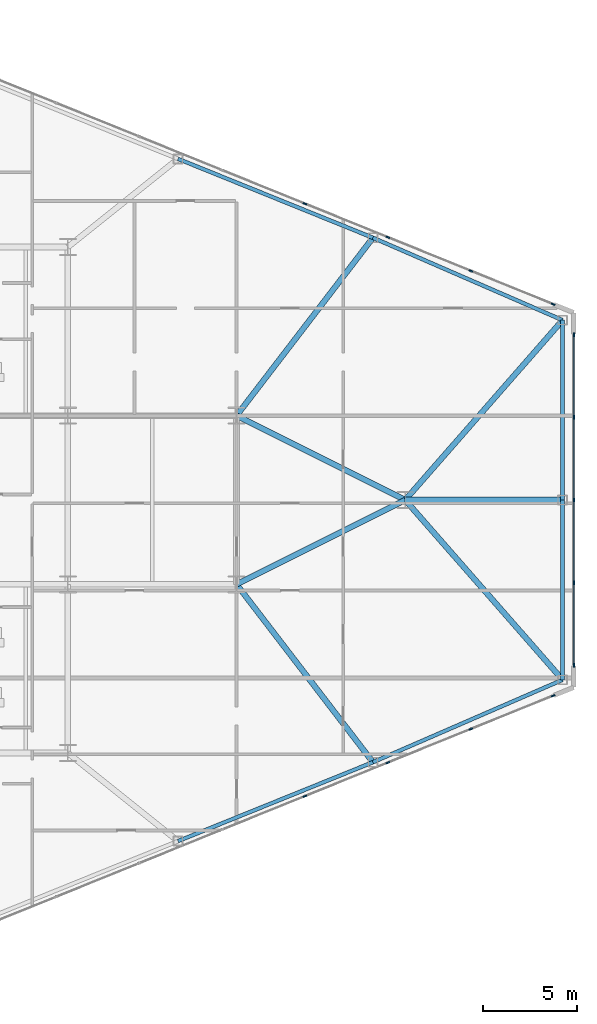
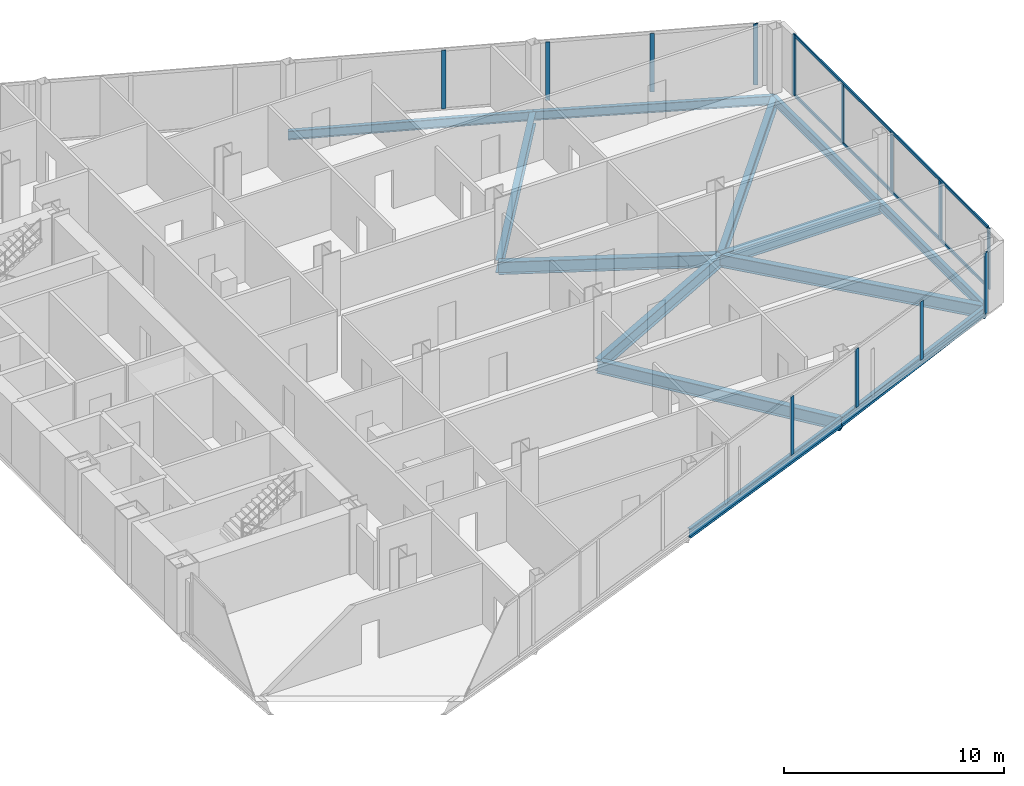
# One storey, part 14 of 25: 15 members, 13 beams, 3 elements without a shape of their own.
"""IFC4 building model written with IfcOpenShell, lengths in metres."""

import ifcopenshell
import ifcopenshell.guid

model = None  # the IFC model being written
_history = None  # IfcOwnerHistory: only IFC2X3 demands one
_inside = {}  # id of a spatial element -> (the spatial element, [elements in it])
_under = {}  # id of a project, library or spatial element -> (it, [spatial elements below it])
_declared = {}  # id of a project -> (the project, [libraries it declares])
_typed = {}  # id of a type object -> (the type object, [elements of that type])
_made_of = {}  # id of a material, layer set ... -> (it, [elements and type objects made of it])


def new_model(schema):
    """Start an empty IFC model of exactly this schema.

    Asked for "IFC4X3", IfcOpenShell would pick the latest addendum, in which some entities
    have other attributes; the version numbers below select the first issue.
    IFC2X3 requires an IfcOwnerHistory on every rooted entity: one is made here for all.
    """
    global model, _history
    if schema == "IFC4X3":
        model = ifcopenshell.file(schema_version=(4, 3, 0, 0))
    else:
        model = ifcopenshell.file(schema=schema)
    _inside.clear()
    _under.clear()
    _declared.clear()
    _typed.clear()
    _made_of.clear()
    _history = None
    if model.schema == "IFC2X3":
        org = make("IfcOrganization", Name="unknown")
        user = make(
            "IfcPersonAndOrganization",
            ThePerson=make("IfcPerson", FamilyName="unknown"),
            TheOrganization=org,
        )
        app = make(
            "IfcApplication",
            ApplicationDeveloper=org,
            Version="unknown",
            ApplicationFullName="unknown",
            ApplicationIdentifier="unknown",
        )
        _history = make(
            "IfcOwnerHistory",
            OwningUser=user,
            OwningApplication=app,
            ChangeAction="ADDED",
            CreationDate=0,
        )
    return model


def make(cls, **values):
    """One entity of the class cls with the attributes given. An attribute that is None is left unset."""
    return model.create_entity(
        cls, **{name: value for name, value in values.items() if value is not None}
    )


def rooted(cls, **values):
    """An entity with a GlobalId (a new one), such as an element, a storey or a relation."""
    return make(cls, GlobalId=ifcopenshell.guid.new(), OwnerHistory=_history, **values)


def si_unit(unit_type, name, prefix=None):
    """IfcSIUnit, for example si_unit("LENGTHUNIT", "METRE", prefix="MILLI")."""
    return make("IfcSIUnit", UnitType=unit_type, Prefix=prefix, Name=name)


def assignment(units):
    """IfcUnitAssignment: the units of a project."""
    return None if units is None else make("IfcUnitAssignment", Units=units)


def point(xyz):
    """IfcCartesianPoint."""
    return None if xyz is None else make("IfcCartesianPoint", Coordinates=xyz)


def direction(xyz):
    """IfcDirection."""
    return None if xyz is None else make("IfcDirection", DirectionRatios=xyz)


def frame(location, z_axis=None, x_axis=None):
    """IfcAxis2Placement3D, a coordinate frame: its origin and axes. An axis left out is left unset."""
    return make(
        "IfcAxis2Placement3D",
        Location=point(location),
        Axis=direction(z_axis),
        RefDirection=direction(x_axis),
    )


def frame_2d(location, x_axis=None):
    """IfcAxis2Placement2D, a coordinate frame in the plane: its origin and x axis."""
    return make(
        "IfcAxis2Placement2D", Location=point(location), RefDirection=direction(x_axis)
    )


def origin():
    """The frame at (0, 0, 0) with its axes left unset."""
    return frame((0.0, 0.0, 0.0))


def origin_2d():
    """The frame at (0, 0) in the plane with its x axis left unset."""
    return frame_2d((0.0, 0.0))


def place(relative_to, where):
    """IfcLocalPlacement: puts the frame where relative to a parent placement (None: the world)."""
    return make(
        "IfcLocalPlacement", PlacementRelTo=relative_to, RelativePlacement=where
    )


def context(
    kind, dimensions, precision=None, world=None, true_north=None, identifier=None
):
    """IfcGeometricRepresentationContext, for example the 3D "Model" context."""
    return make(
        "IfcGeometricRepresentationContext",
        ContextIdentifier=identifier,
        ContextType=kind,
        CoordinateSpaceDimension=dimensions,
        Precision=precision,
        WorldCoordinateSystem=world,
        TrueNorth=true_north,
    )


def subcontext(parent, identifier, kind, view, scale=None):
    """IfcGeometricRepresentationSubContext, for example "Body" below "Model"."""
    return make(
        "IfcGeometricRepresentationSubContext",
        ContextIdentifier=identifier,
        ContextType=kind,
        ParentContext=parent,
        TargetScale=scale,
        TargetView=view,
    )


def project(units=None, contexts=None):
    """IfcProject with its units and contexts."""
    return rooted(
        "IfcProject",
        Name="project",
        RepresentationContexts=contexts,
        UnitsInContext=assignment(units),
    )


def spatial(cls, under=None, at=None, **own):
    """A site, building, storey or space (cls), placed at a placement, below another one or the project."""
    s = rooted(cls, ObjectPlacement=at, **own)
    if under is not None:
        _under.setdefault(under.id(), (under, []))[1].append(s)
    return s


def profile(cls, at=None, kind="AREA", **sizes):
    """A parametric profile (cls). Its sizes go by their IFC names, for example OverallWidth=200.0."""
    return make(cls, ProfileType=kind, Position=at, **sizes)


def rectangle(**sizes):
    """IfcRectangleProfileDef."""
    return profile("IfcRectangleProfileDef", **sizes)


def i_section(**sizes):
    """IfcIShapeProfileDef."""
    return profile("IfcIShapeProfileDef", **sizes)


def extrude(swept, where, along, depth):
    """IfcExtrudedAreaSolid: the profile swept, set in the frame where, extruded along a direction by depth."""
    return make(
        "IfcExtrudedAreaSolid",
        SweptArea=swept,
        Position=where,
        ExtrudedDirection=direction(along),
        Depth=depth,
    )


def shape(context_of_items, identifier, shape_type, items):
    """IfcShapeRepresentation: the items that make up one representation, for example the "Body"."""
    return make(
        "IfcShapeRepresentation",
        ContextOfItems=context_of_items,
        RepresentationIdentifier=identifier,
        RepresentationType=shape_type,
        Items=items,
    )


def source(mapping_origin, context_of_items, identifier, shape_type, items):
    """IfcRepresentationMap: a shape defined once, which mapped items show again and again."""
    return make(
        "IfcRepresentationMap",
        MappingOrigin=mapping_origin,
        MappedRepresentation=shape(context_of_items, identifier, shape_type, items),
    )


def transform(
    local_origin,
    x_axis=None,
    y_axis=None,
    z_axis=None,
    scale=None,
    scale2=None,
    scale3=None,
    uniform=True,
):
    """IfcCartesianTransformationOperator3D, or its non-uniform kind. x_axis, y_axis, z_axis: its Axis1, 2, 3."""
    if uniform:
        return make(
            "IfcCartesianTransformationOperator3D",
            Axis1=direction(x_axis),
            Axis2=direction(y_axis),
            LocalOrigin=point(local_origin),
            Scale=scale,
            Axis3=direction(z_axis),
        )
    return make(
        "IfcCartesianTransformationOperator3DnonUniform",
        Axis1=direction(x_axis),
        Axis2=direction(y_axis),
        LocalOrigin=point(local_origin),
        Scale=scale,
        Axis3=direction(z_axis),
        Scale2=scale2,
        Scale3=scale3,
    )


def mapped(mapping_source, mapping_target):
    """IfcMappedItem: shows the shape of a source again, moved by a transform."""
    return make(
        "IfcMappedItem", MappingSource=mapping_source, MappingTarget=mapping_target
    )


def material(Name=None, Category=None):
    """IfcMaterial."""
    return make("IfcMaterial", Name=Name, Category=Category)


def layer(
    of_material, thickness, ventilated=None, Name=None, Category=None, Priority=None
):
    """IfcMaterialLayer: one layer of a wall or slab, of a material (None: an air gap)."""
    return make(
        "IfcMaterialLayer",
        Material=of_material,
        LayerThickness=thickness,
        IsVentilated=ventilated,
        Name=Name,
        Category=Category,
        Priority=Priority,
    )


def layer_set(layers, Name=None):
    """IfcMaterialLayerSet."""
    return make("IfcMaterialLayerSet", MaterialLayers=layers, LayerSetName=Name)


def material_profile(
    of_material, cross_section, Name=None, Category=None, Priority=None
):
    """IfcMaterialProfile: a cross section and its material."""
    return make(
        "IfcMaterialProfile",
        Name=Name,
        Material=of_material,
        Profile=cross_section,
        Priority=Priority,
        Category=Category,
    )


def profile_set(profiles, Name=None, composite=None):
    """IfcMaterialProfileSet."""
    return make(
        "IfcMaterialProfileSet",
        Name=Name,
        MaterialProfiles=profiles,
        CompositeProfile=composite,
    )


def made_of(thing, what):
    """Note that an element or type object is made of a material, layer set ...; save() writes the relation."""
    if what is not None:
        _made_of.setdefault(what.id(), (what, []))[1].append(thing)
    return thing


def type_object(cls, material=None, **own):
    """A type object (cls), such as IfcWallType, which elements share."""
    return made_of(rooted(cls, **own), material)


def type_shapes(of_type, sources):
    """Give a type object the sources (RepresentationMaps) that its elements show as mapped items."""
    of_type.RepresentationMaps = sources


def element(
    cls,
    number,
    at=None,
    inside=None,
    cuts=None,
    type_object=None,
    material=None,
    context=None,
    identifier="Body",
    shape_type=None,
    held_by="IfcProductDefinitionShape",
    body=None,
    shapes=None,
    **own,
):
    """One element of the class cls, such as IfcWall. Its Tag is "e" and its number.

    at: its placement. inside: the storey or other place that contains it. cuts: it is an
    opening in that element (IfcRelVoidsElement). A single representation is given by context,
    identifier, shape_type and body (its items); several are given by shapes. held_by: the class
    of the entity that holds the representations. save() writes the other relations.
    """
    e = rooted(cls, Tag="e%d" % number, ObjectPlacement=at, **own)
    if body is not None:
        shapes = [shape(context, identifier, shape_type, body)]
    if shapes is not None:
        e.Representation = make(held_by, Representations=shapes)
    if inside is not None:
        _inside.setdefault(inside.id(), (inside, []))[1].append(e)
    if cuts is not None:
        rooted(
            "IfcRelVoidsElement", RelatingBuildingElement=cuts, RelatedOpeningElement=e
        )
    if type_object is not None:
        _typed.setdefault(type_object.id(), (type_object, []))[1].append(e)
    return made_of(e, material)


def aggregate(whole, parts):
    """IfcRelAggregates: a whole, such as a stair, and the parts it consists of."""
    return rooted("IfcRelAggregates", RelatingObject=whole, RelatedObjects=parts)


def save(model, path):
    """Write the relations noted so far, then the file.

    IfcRelAggregates (storeys below a building ...), IfcRelContainedInSpatialStructure (elements
    in a storey), IfcRelDefinesByType, IfcRelAssociatesMaterial and IfcRelDeclares: one each for
    every whole, place, type object, material and project.
    """
    for whole, parts in _under.values():
        aggregate(whole, parts)
    for where, things in _inside.values():
        rooted(
            "IfcRelContainedInSpatialStructure",
            RelatedElements=things,
            RelatingStructure=where,
        )
    for kind, things in _typed.values():
        rooted("IfcRelDefinesByType", RelatedObjects=things, RelatingType=kind)
    for what, things in _made_of.values():
        rooted("IfcRelAssociatesMaterial", RelatedObjects=things, RelatingMaterial=what)
    for by, libraries in _declared.values():
        rooted("IfcRelDeclares", RelatingContext=by, RelatedDefinitions=libraries)
    model.write(path)


model = new_model("IFC4")

# Units and contexts
model_context = context("Model", 3, precision=1e-05, world=origin(), true_north=direction((0.0, 1.0)))
body_context = subcontext(model_context, "Body", "Model", "MODEL_VIEW")
ifc_project = project(units=[si_unit("LENGTHUNIT", "METRE"), si_unit("AREAUNIT", "SQUARE_METRE"), si_unit("VOLUMEUNIT", "CUBIC_METRE"), si_unit("PLANEANGLEUNIT", "RADIAN"), si_unit("MASSUNIT", "GRAM", prefix="KILO")], contexts=[model_context])

# Site, building, storey
site_placement = place(None, origin())
site = spatial("IfcSite", under=ifc_project, at=site_placement, CompositionType="ELEMENT")
building_placement = place(site_placement, origin())
building = spatial("IfcBuilding", under=site, at=building_placement, Name="Seokmaru Belvedere", CompositionType="ELEMENT")
storey_placement = place(building_placement, frame((0.0, 0.0, 22.5)))
storey = spatial("IfcBuildingStorey", under=building, at=storey_placement, Name="L05", CompositionType="ELEMENT", Elevation=22.5)

# Beams
ifc_material_1 = material(Name="Steel SM355 (355 MPa)", Category="steel")
ifc_material_profile_1 = material_profile(ifc_material_1, i_section(OverallWidth=0.300048828125, OverallDepth=0.699951171875, WebThickness=0.012939453125, FlangeThickness=0.02392578125, at=origin_2d()), Name="H-700x300x13x24")
ifc_profile_set_1 = profile_set([ifc_material_profile_1], Name="Steel SM355 (355 MPa)")
beam_type_1 = type_object("IfcBeamType", Name="Primary Floor Girder H-700", PredefinedType="BEAM", material=ifc_profile_set_1)
shared_shape_1 = source(origin(), body_context, "Body", "SweptSolid", [
    extrude(i_section(OverallWidth=0.300048828125, OverallDepth=0.699951171875, WebThickness=0.012939453125, FlangeThickness=0.02392578125, at=origin_2d()), origin(), (0.0, 0.0, 1.0), 10.062255859375),
])
for number, where, z_axis, x_axis, name in (
    (1, (54.5, -4.5, -0.570068359375), (0.894427191, 0.4472135955, 0.0), (-0.4472135955, 0.894427191, 0.0), "L05 E Apex Converging Girder 1"),
    (2, (54.5, 4.5, -0.570068359375), (0.894427191, -0.4472135955, 0.0), (0.4472135955, 0.894427191, 0.0), "L05 E Apex Converging Girder 2"),
):
    element("IfcBeam", number, at=place(storey_placement, frame(where, z_axis=z_axis, x_axis=x_axis)), inside=storey, type_object=beam_type_1, Name=name, PredefinedType="BEAM", context=body_context, shape_type="MappedRepresentation", body=[
        mapped(shared_shape_1, transform((0.0, 0.0, 0.0), scale=1.0)),
    ])
shared_shape_2 = source(origin(), body_context, "Body", "SweptSolid", [
    extrude(i_section(OverallWidth=0.300048828125, OverallDepth=0.699951171875, WebThickness=0.012939453125, FlangeThickness=0.02392578125, at=origin_2d()), origin(), (0.0, 0.0, 1.0), 12.7529296875),
])
for number, where, z_axis, x_axis, name in (
    (3, (71.89990234375, -9.595703125, -0.570068359375), (-0.658667231479, 0.752434368019, 0.0), (-0.752434368019, -0.658667231479, 0.0), "L05 E Apex Radial Floor Girder 1"),
    (4, (71.89990234375, 9.595703125, -0.570068359375), (-0.658667231479, -0.752434368019, 0.0), (0.752434368019, -0.658667231479, 0.0), "L05 E Apex Radial Floor Girder 2"),
):
    element("IfcBeam", number, at=place(storey_placement, frame(where, z_axis=z_axis, x_axis=x_axis)), inside=storey, type_object=beam_type_1, Name=name, PredefinedType="BEAM", context=body_context, shape_type="MappedRepresentation", body=[
        mapped(shared_shape_2, transform((0.0, 0.0, 0.0), scale=1.0)),
    ])
ifc_material_profile_2 = material_profile(ifc_material_1, i_section(OverallWidth=0.199951171875, OverallDepth=0.5, WebThickness=0.010009765625, FlangeThickness=0.01611328125, at=origin_2d()), Name="H-500x200x10x16")
ifc_profile_set_2 = profile_set([ifc_material_profile_2], Name="Steel SM355 (355 MPa)")
beam_type_2 = type_object("IfcBeamType", Name="Perimeter Spandrel Beam H-500", PredefinedType="SPANDREL", material=ifc_profile_set_2)
shared_shape_3 = source(origin(), body_context, "Body", "SweptSolid", [
    extrude(i_section(OverallWidth=0.199951171875, OverallDepth=0.5, WebThickness=0.010009765625, FlangeThickness=0.01611328125, at=origin_2d()), origin(), (0.0, 0.0, 1.0), 11.220703125),
])
for number, where, z_axis, x_axis, name in (
    (5, (51.378173828125, -18.2041015625, -0.469970703125), (0.926944290816, 0.375198989503, 0.0), (-0.375198989503, 0.926944290816, 0.0), "L05 E Faceted Flank Spandrel S-3"),
    (6, (51.378173828125, 18.2041015625, -0.469970703125), (0.926944290816, -0.375198989503, 0.0), (0.375198989503, 0.926944290816, 0.0), "L05 E Faceted Flank Spandrel N-3"),
):
    element("IfcBeam", number, at=place(storey_placement, frame(where, z_axis=z_axis, x_axis=x_axis)), inside=storey, type_object=beam_type_2, Name=name, PredefinedType="SPANDREL", context=body_context, shape_type="MappedRepresentation", body=[
        mapped(shared_shape_3, transform((0.0, 0.0, 0.0), scale=1.0)),
    ])
shared_shape_4 = source(origin(), body_context, "Body", "SweptSolid", [
    extrude(i_section(OverallWidth=0.199951171875, OverallDepth=0.5, WebThickness=0.010009765625, FlangeThickness=0.01611328125, at=origin_2d()), origin(), (0.0, 0.0, 1.0), 11.035400390625),
])
for number, where, z_axis, x_axis, name in (
    (7, (61.779052734375, -13.994140625, -0.469970703125), (0.917134058682, 0.398578873507, 0.0), (-0.398578873507, 0.917134058682, 0.0), "L05 E Faceted Flank Spandrel S-4"),
    (8, (61.779052734375, 13.994140625, -0.469970703125), (0.917134058682, -0.398578873507, 0.0), (0.398578873507, 0.917134058682, 0.0), "L05 E Faceted Flank Spandrel N-4"),
):
    element("IfcBeam", number, at=place(storey_placement, frame(where, z_axis=z_axis, x_axis=x_axis)), inside=storey, type_object=beam_type_2, Name=name, PredefinedType="SPANDREL", context=body_context, shape_type="MappedRepresentation", body=[
        mapped(shared_shape_4, transform((0.0, 0.0, 0.0), scale=1.0)),
    ])
shared_shape_5 = source(origin(), body_context, "Body", "SweptSolid", [
    extrude(i_section(OverallWidth=0.199951171875, OverallDepth=0.5, WebThickness=0.010009765625, FlangeThickness=0.01611328125, at=origin_2d()), origin(), (0.0, 0.0, 1.0), 9.595703125),
])
type_shapes(beam_type_2, [shared_shape_3, shared_shape_4, shared_shape_5])
for number, where, z_axis, x_axis, name in (
    (9, (71.89990234375, -9.595703125, -0.469970703125), (0.0, 1.0, 0.0), (-1.0, 0.0, 0.0), "L05 E Faceted Apex Spandrel S"),
    (10, (71.89990234375, 0.0, -0.469970703125), (0.0, 1.0, 0.0), (-1.0, 0.0, 0.0), "L05 E Faceted Apex Spandrel N"),
):
    element("IfcBeam", number, at=place(storey_placement, frame(where, z_axis=z_axis, x_axis=x_axis)), inside=storey, type_object=beam_type_2, Name=name, PredefinedType="SPANDREL", context=body_context, shape_type="MappedRepresentation", body=[
        mapped(shared_shape_5, transform((0.0, 0.0, 0.0), scale=1.0)),
    ])
shared_shape_6 = source(origin(), body_context, "Body", "SweptSolid", [
    extrude(i_section(OverallWidth=0.300048828125, OverallDepth=0.699951171875, WebThickness=0.012939453125, FlangeThickness=0.02392578125, at=origin_2d()), origin(), (0.0, 0.0, 1.0), 11.96337890625),
])
for number, where, z_axis, x_axis, name in (
    (11, (61.779052734375, -13.994140625, -0.570068359375), (-0.608442682624, 0.793597821294, 0.0), (-0.793597821294, -0.608442682624, 0.0), "L05 E Flank Radial Floor Girder S-3"),
    (12, (61.779052734375, 13.994140625, -0.570068359375), (-0.608442682624, -0.793597821294, 0.0), (0.793597821294, -0.608442682624, 0.0), "L05 E Flank Radial Floor Girder N-3"),
):
    element("IfcBeam", number, at=place(storey_placement, frame(where, z_axis=z_axis, x_axis=x_axis)), inside=storey, type_object=beam_type_1, Name=name, PredefinedType="BEAM", context=body_context, shape_type="MappedRepresentation", body=[
        mapped(shared_shape_6, transform((0.0, 0.0, 0.0), scale=1.0)),
    ])
shared_shape_7 = source(origin(), body_context, "Body", "SweptSolid", [
    extrude(i_section(OverallWidth=0.300048828125, OverallDepth=0.699951171875, WebThickness=0.012939453125, FlangeThickness=0.02392578125, at=origin_2d()), origin(), (0.0, 0.0, 1.0), 8.39990234375),
])
type_shapes(beam_type_1, [shared_shape_1, shared_shape_2, shared_shape_6, shared_shape_7])
beam_placement = place(storey_placement, frame((71.89990234375, 0.0, -0.570068359375), z_axis=(-1.0, 0.0, 0.0), x_axis=(0.0, -1.0, 0.0)))
element("IfcBeam", 13, at=beam_placement, inside=storey, type_object=beam_type_1, Name="L05 E Apex Center Radial Girder", PredefinedType="BEAM", context=body_context, shape_type="MappedRepresentation", body=[
    mapped(shared_shape_7, transform((0.0, 0.0, 0.0), scale=1.0)),
])

# Curtain wall, members
ifc_material_2 = material(Name="Bronze Triple Insulating Glass", Category="glass")
ifc_layer = layer(ifc_material_2, 0.2099609375)
ifc_layer_set = layer_set([ifc_layer], Name="Bronze Triple Insulating Glass")
curtain_wall_type = type_object("IfcCurtainWallType", Name="Low-Rise Faceted Crystal Curtain Wall System CW-2", PredefinedType="NOTDEFINED", material=ifc_layer_set)
curtain_wall_1_placement = place(storey_placement, origin())
curtain_wall_1 = element("IfcCurtainWall", 14, at=curtain_wall_1_placement, inside=storey, type_object=curtain_wall_type, Name="L05 Curtain Wall EF1", PredefinedType="NOTDEFINED")
ifc_material_3 = material(Name="Anodised Bronze Aluminium", Category="aluminium")
ifc_material_profile_3 = material_profile(ifc_material_3, rectangle(XDim=0.074951171875, YDim=0.2099609375, at=origin_2d()), Name="CW-M-75x210")
ifc_profile_set_3 = profile_set([ifc_material_profile_3], Name="Anodised Bronze Aluminium")
member_type_1 = type_object("IfcMemberType", Name="Bronze Unitised Mullion 75x210", PredefinedType="MULLION", material=ifc_profile_set_3)
shared_shape_8 = source(origin(), body_context, "Body", "SweptSolid", [
    extrude(rectangle(XDim=0.074951171875, YDim=0.2099609375, at=origin_2d()), origin(), (0.0, 0.0, 1.0), 3.239990234375),
])
member_1_placement = place(storey_placement, frame((58.144775390625, -15.810546875, 0.070068359375), z_axis=(0.0, 0.0, 1.0), x_axis=(-0.375192321888, 0.926946989637, 0.0)))
member_1 = element("IfcMember", 15, at=member_1_placement, type_object=member_type_1, Name="CW:L05:EF1 Mullion 7", PredefinedType="MULLION", context=body_context, shape_type="MappedRepresentation", body=[
    mapped(shared_shape_8, transform((0.0, 0.0, 0.0), scale=1.0)),
])
member_2_placement = place(storey_placement, frame((62.574462890625, -14.017578125, 0.070068359375), z_axis=(0.0, 0.0, 1.0), x_axis=(-0.375192321888, 0.926946989637, 0.0)))
member_2 = element("IfcMember", 16, at=member_2_placement, type_object=member_type_1, Name="CW:L05:EF1 Mullion 8", PredefinedType="MULLION", context=body_context, shape_type="MappedRepresentation", body=[
    mapped(shared_shape_8, transform((0.0, 0.0, 0.0), scale=1.0)),
])
member_3_placement = place(storey_placement, frame((67.004150390625, -12.224609375, 0.070068359375), z_axis=(0.0, 0.0, 1.0), x_axis=(-0.375192321888, 0.926946989637, 0.0)))
member_3 = element("IfcMember", 17, at=member_3_placement, type_object=member_type_1, Name="CW:L05:EF1 Mullion 9", PredefinedType="MULLION", context=body_context, shape_type="MappedRepresentation", body=[
    mapped(shared_shape_8, transform((0.0, 0.0, 0.0), scale=1.0)),
])

curtain_wall_2_placement = place(storey_placement, origin())
curtain_wall_2 = element("IfcCurtainWall", 18, at=curtain_wall_2_placement, inside=storey, type_object=curtain_wall_type, Name="L05 Curtain Wall EF2", PredefinedType="NOTDEFINED")
member_4_placement = place(storey_placement, frame((72.5, -4.425048828125, 0.070068359375), z_axis=(0.0, 0.0, 1.0), x_axis=(-1.0, 0.0, 0.0)))
member_4 = element("IfcMember", 19, at=member_4_placement, type_object=member_type_1, Name="CW:L05:EF2 Mullion 2", PredefinedType="MULLION", context=body_context, shape_type="MappedRepresentation", body=[
    mapped(shared_shape_8, transform((0.0, 0.0, 0.0), scale=1.0)),
])
member_5_placement = place(storey_placement, frame((72.5, 0.0, 0.070068359375), z_axis=(0.0, 0.0, 1.0), x_axis=(-1.0, 0.0, 0.0)))
member_5 = element("IfcMember", 20, at=member_5_placement, type_object=member_type_1, Name="CW:L05:EF2 Mullion 3", PredefinedType="MULLION", context=body_context, shape_type="MappedRepresentation", body=[
    mapped(shared_shape_8, transform((0.0, 0.0, 0.0), scale=1.0)),
])
member_6_placement = place(storey_placement, frame((72.5, 4.425048828125, 0.070068359375), z_axis=(0.0, 0.0, 1.0), x_axis=(-1.0, 0.0, 0.0)))
member_6 = element("IfcMember", 21, at=member_6_placement, type_object=member_type_1, Name="CW:L05:EF2 Mullion 4", PredefinedType="MULLION", context=body_context, shape_type="MappedRepresentation", body=[
    mapped(shared_shape_8, transform((0.0, 0.0, 0.0), scale=1.0)),
])

curtain_wall_3_placement = place(storey_placement, origin())
curtain_wall_3 = element("IfcCurtainWall", 22, at=curtain_wall_3_placement, inside=storey, type_object=curtain_wall_type, Name="L05 Curtain Wall EF3", PredefinedType="NOTDEFINED")
member_7_placement = place(storey_placement, frame((67.004150390625, 12.224609375, 0.070068359375), z_axis=(0.0, 0.0, 1.0), x_axis=(-0.375192321888, -0.926946989637, 0.0)))
member_7 = element("IfcMember", 23, at=member_7_placement, type_object=member_type_1, Name="CW:L05:EF3 Mullion 2", PredefinedType="MULLION", context=body_context, shape_type="MappedRepresentation", body=[
    mapped(shared_shape_8, transform((0.0, 0.0, 0.0), scale=1.0)),
])
member_8_placement = place(storey_placement, frame((62.574462890625, 14.017578125, 0.070068359375), z_axis=(0.0, 0.0, 1.0), x_axis=(-0.375192321888, -0.926946989637, 0.0)))
member_8 = element("IfcMember", 24, at=member_8_placement, type_object=member_type_1, Name="CW:L05:EF3 Mullion 3", PredefinedType="MULLION", context=body_context, shape_type="MappedRepresentation", body=[
    mapped(shared_shape_8, transform((0.0, 0.0, 0.0), scale=1.0)),
])
member_9_placement = place(storey_placement, frame((58.144775390625, 15.810546875, 0.070068359375), z_axis=(0.0, 0.0, 1.0), x_axis=(-0.375192321888, -0.926946989637, 0.0)))
member_9 = element("IfcMember", 25, at=member_9_placement, type_object=member_type_1, Name="CW:L05:EF3 Mullion 4", PredefinedType="MULLION", context=body_context, shape_type="MappedRepresentation", body=[
    mapped(shared_shape_8, transform((0.0, 0.0, 0.0), scale=1.0)),
])

# Member
ifc_material_profile_4 = material_profile(ifc_material_3, rectangle(XDim=0.070068359375, YDim=0.1650390625, at=origin_2d()), Name="CW-T-70x165")
ifc_profile_set_4 = profile_set([ifc_material_profile_4], Name="Anodised Bronze Aluminium")
member_type_2 = type_object("IfcMemberType", Name="Bronze Unitised Transom 70x165", PredefinedType="USERDEFINED", material=ifc_profile_set_4)
shared_shape_9 = source(origin(), body_context, "Body", "SweptSolid", [
    extrude(rectangle(XDim=0.070068359375, YDim=0.1650390625, at=origin_2d()), origin(), (0.0, 0.0, 1.0), 17.5498046875),
])
type_shapes(member_type_2, [shared_shape_9])
member_10_placement = place(storey_placement, frame((72.5, -8.77490234375, 0.034912109375), z_axis=(0.0, 1.0, 0.0), x_axis=(-1.0, 0.0, 0.0)))
member_10 = element("IfcMember", 26, at=member_10_placement, type_object=member_type_2, Name="CW:L05:EF2 Continuous Transom 1", ObjectType="TRANSOM", PredefinedType="USERDEFINED", context=body_context, shape_type="MappedRepresentation", body=[
    mapped(shared_shape_9, transform((0.0, 0.0, 0.0), scale=1.0)),
])

member_11_placement = place(storey_placement, frame((72.5, -8.77490234375, 3.344970703125), z_axis=(0.0, 1.0, 0.0), x_axis=(-1.0, 0.0, 0.0)))
member_11 = element("IfcMember", 27, at=member_11_placement, type_object=member_type_2, Name="CW:L05:EF2 Continuous Transom 2", ObjectType="TRANSOM", PredefinedType="USERDEFINED", context=body_context, shape_type="MappedRepresentation", body=[
    mapped(shared_shape_9, transform((0.0, 0.0, 0.0), scale=1.0)),
])

shared_shape_10 = source(origin(), body_context, "Body", "SweptSolid", [
    extrude(rectangle(XDim=0.074951171875, YDim=0.2099609375, at=origin_2d()), origin(), (0.0, 0.0, 1.0), 3.3798828125),
])
type_shapes(member_type_1, [shared_shape_8, shared_shape_10])
member_12_placement = place(storey_placement, frame((71.399169921875, -10.445556640625, 0.0), z_axis=(0.0, 0.0, 1.0), x_axis=(-0.375192321888, 0.926946989637, 0.0)))
member_12 = element("IfcMember", 28, at=member_12_placement, type_object=member_type_1, Name="CW:L05:EF1 Mullion 10", PredefinedType="MULLION", context=body_context, shape_type="MappedRepresentation", body=[
    mapped(shared_shape_10, transform((0.0, 0.0, 0.0), scale=1.0)),
])

aggregate(curtain_wall_1, [member_1, member_2, member_3, member_12])

member_13_placement = place(storey_placement, frame((72.5, -8.8125, 0.0), z_axis=(0.0, 0.0, 1.0), x_axis=(-1.0, 0.0, 0.0)))
member_13 = element("IfcMember", 29, at=member_13_placement, type_object=member_type_1, Name="CW:L05:EF2 Mullion 1", PredefinedType="MULLION", context=body_context, shape_type="MappedRepresentation", body=[
    mapped(shared_shape_10, transform((0.0, 0.0, 0.0), scale=1.0)),
])

member_14_placement = place(storey_placement, frame((72.5, 8.8125, 0.0), z_axis=(0.0, 0.0, 1.0), x_axis=(-1.0, 0.0, 0.0)))
member_14 = element("IfcMember", 30, at=member_14_placement, type_object=member_type_1, Name="CW:L05:EF2 Mullion 5", PredefinedType="MULLION", context=body_context, shape_type="MappedRepresentation", body=[
    mapped(shared_shape_10, transform((0.0, 0.0, 0.0), scale=1.0)),
])

aggregate(curtain_wall_2, [member_13, member_4, member_5, member_6, member_14, member_10, member_11])

member_15_placement = place(storey_placement, frame((71.399169921875, 10.445556640625, 0.0), z_axis=(0.0, 0.0, 1.0), x_axis=(-0.375192321888, -0.926946989637, 0.0)))
member_15 = element("IfcMember", 31, at=member_15_placement, type_object=member_type_1, Name="CW:L05:EF3 Mullion 1", PredefinedType="MULLION", context=body_context, shape_type="MappedRepresentation", body=[
    mapped(shared_shape_10, transform((0.0, 0.0, 0.0), scale=1.0)),
])

aggregate(curtain_wall_3, [member_15, member_7, member_8, member_9])

save(model, "model.ifc")
